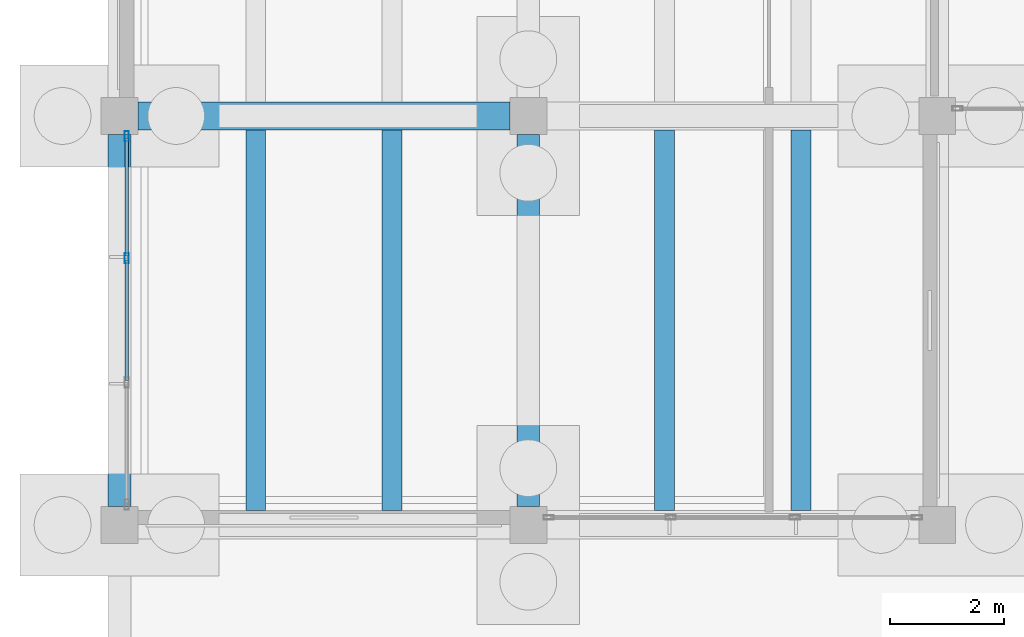
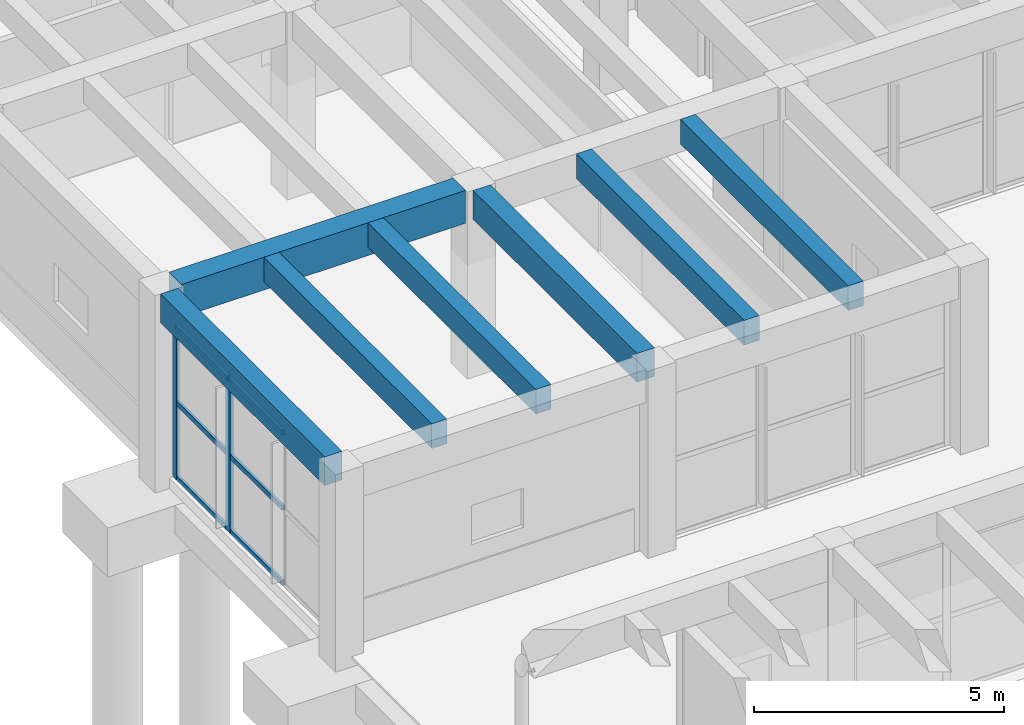
# One storey, part 58 of 155: 8 members, 7 beams, 1 element without a shape of its own.
"""IFC4 building model written with IfcOpenShell, lengths in metres."""

from ifc_helpers import new_model, si_unit, direction, frame, origin, origin_2d, place, context, subcontext, project, spatial, rectangle, hollow_rectangle, extrude, material, material_profile, profile_set, type_object, element, aggregate, save


model = new_model("IFC4")

# Units and contexts
model_context = context("Model", 3, precision=1e-05, world=origin(), true_north=direction((0.0, 1.0)))
body_context = subcontext(model_context, "Body", "Model", "MODEL_VIEW")
ifc_project = project(units=[si_unit("LENGTHUNIT", "METRE"), si_unit("AREAUNIT", "SQUARE_METRE"), si_unit("VOLUMEUNIT", "CUBIC_METRE"), si_unit("PLANEANGLEUNIT", "RADIAN"), si_unit("MASSUNIT", "GRAM", prefix="KILO")], contexts=[model_context])

# Site, building, storey
site_placement = place(None, origin())
site = spatial("IfcSite", under=ifc_project, at=site_placement, CompositionType="ELEMENT")
building_placement = place(site_placement, origin())
building = spatial("IfcBuilding", under=site, at=building_placement, Name="Bramvelor Terrace Health Centre", CompositionType="ELEMENT")
storey_placement = place(building_placement, origin())
storey = spatial("IfcBuildingStorey", under=building, at=storey_placement, Name="L01", CompositionType="ELEMENT", Elevation=0.0)

# Beams
ifc_material_1 = material(Name="Concrete C40/50", Category="concrete")
ifc_material_profile_1 = material_profile(ifc_material_1, rectangle(XDim=0.39990234375, YDim=0.699951171875, at=origin_2d()), Name="RC 400x700")
ifc_profile_set_1 = profile_set([ifc_material_profile_1], Name="Concrete C40/50")
beam_type_1 = type_object("IfcBeamType", Name="BM-RC-G700", PredefinedType="BEAM", material=ifc_profile_set_1)
beam_1_placement = place(storey_placement, frame((7.199951171875, 72.324951171875, 4.2099609375), z_axis=(0.0, 1.0, 0.0), x_axis=(-1.0, 0.0, 0.0)))
element("IfcBeam", 1, at=beam_1_placement, inside=storey, type_object=beam_type_1, Name="L01 Floor Girder", PredefinedType="BEAM", context=body_context, shape_type="SweptSolid", body=[
    extrude(rectangle(XDim=0.39990234375, YDim=0.699951171875, at=origin_2d()), origin(), (0.0, 0.0, 1.0), 6.550048828125),
])
ifc_material_2 = material(Name="Concrete C40/50", Category="concrete")
ifc_material_profile_2 = material_profile(ifc_material_2, rectangle(XDim=0.5, YDim=0.800048828125, at=origin_2d()), Name="RC 500x800")
ifc_profile_set_2 = profile_set([ifc_material_profile_2], Name="Concrete C40/50")
beam_type_2 = type_object("IfcBeamType", Name="BM-RC-G800", PredefinedType="BEAM", material=ifc_profile_set_2)
beam_2_placement = place(storey_placement, frame((0.324951171875, 79.199951171875, 4.159912109375), z_axis=(1.0, 0.0, 0.0), x_axis=(0.0, 1.0, 0.0)))
element("IfcBeam", 2, at=beam_2_placement, inside=storey, type_object=beam_type_2, Name="L01 Floor Girder", PredefinedType="BEAM", context=body_context, shape_type="SweptSolid", body=[
    extrude(rectangle(XDim=0.5, YDim=0.800048828125, at=origin_2d()), origin(), (0.0, 0.0, 1.0), 6.550048828125),
])
ifc_material_3 = material(Name="Concrete C40/50", Category="concrete")
ifc_material_profile_3 = material_profile(ifc_material_3, rectangle(XDim=0.35009765625, YDim=0.60009765625, at=origin_2d()), Name="RC 350x600")
ifc_profile_set_3 = profile_set([ifc_material_profile_3], Name="Concrete C40/50")
beam_type_3 = type_object("IfcBeamType", Name="BM-RC-J600", PredefinedType="JOIST", material=ifc_profile_set_3)
for number, where, z_axis, x_axis, name in (
    (3, (2.39990234375, 72.25, 4.260009765625), (0.0, 1.0, 0.0), (-1.0, 0.0, 0.0), "L01 Secondary Floor Joist"),
    (4, (4.800048828125, 72.25, 4.260009765625), (0.0, 1.0, 0.0), (-1.0, 0.0, 0.0), "L01 Secondary Floor Joist"),
    (5, (9.60009765625, 72.25, 4.260009765625), (0.0, 1.0, 0.0), (-1.0, 0.0, 0.0), "L01 Secondary Floor Joist"),
    (6, (12.0, 72.25, 4.260009765625), (0.0, 1.0, 0.0), (-1.0, 0.0, 0.0), "L01 Secondary Floor Joist"),
):
    element("IfcBeam", number, at=place(storey_placement, frame(where, z_axis=z_axis, x_axis=x_axis)), inside=storey, type_object=beam_type_3, Name=name, PredefinedType="JOIST", context=body_context, shape_type="SweptSolid", body=[
        extrude(rectangle(XDim=0.35009765625, YDim=0.60009765625, at=origin_2d()), origin(), (0.0, 0.0, 1.0), 6.699951171875),
    ])
ifc_material_4 = material(Name="Concrete C40/50", Category="concrete")
ifc_material_profile_4 = material_profile(ifc_material_4, rectangle(XDim=0.39990234375, YDim=0.699951171875, at=origin_2d()), Name="RC 400x700")
ifc_profile_set_4 = profile_set([ifc_material_profile_4], Name="Concrete C40/50")
beam_type_4 = type_object("IfcBeamType", Name="BM-RC-SP700-EXT", PredefinedType="SPANDREL", material=ifc_profile_set_4)
beam_3_placement = place(storey_placement, frame((0.0, 72.324951171875, 4.2099609375), z_axis=(0.0, 1.0, 0.0), x_axis=(-1.0, 0.0, 0.0)))
element("IfcBeam", 7, at=beam_3_placement, inside=storey, type_object=beam_type_4, Name="L01 Floor Girder", PredefinedType="SPANDREL", context=body_context, shape_type="SweptSolid", body=[
    extrude(rectangle(XDim=0.39990234375, YDim=0.699951171875, at=origin_2d()), origin(), (0.0, 0.0, 1.0), 6.550048828125),
])

# Curtain wall, members
ifc_material_5 = material(Name="Anodized aluminium and double low-E glass", Category="aluminium")
curtain_wall_type = type_object("IfcCurtainWallType", Name="CW-SYS-02", PredefinedType="NOTDEFINED", material=ifc_material_5)
curtain_wall_placement = place(storey_placement, origin())
curtain_wall = element("IfcCurtainWall", 8, at=curtain_wall_placement, inside=storey, type_object=curtain_wall_type, Name="L01 Unitized Curtain Wall 15", PredefinedType="NOTDEFINED")
ifc_material_6 = material(Name="Anodized aluminium 6063-T6", Category="aluminium")
ifc_material_profile_5 = material_profile(ifc_material_6, hollow_rectangle(XDim=0.074951171875, YDim=0.179931640625, WallThickness=0.00341796875, at=origin_2d()), Name="ALU-MUL 75x180x3.5")
ifc_profile_set_5 = profile_set([ifc_material_profile_5], Name="Anodized aluminium 6063-T6")
member_type_1 = type_object("IfcMemberType", Name="CW-MUL-65x180", PredefinedType="MULLION", material=ifc_profile_set_5)
member_1_placement = place(storey_placement, frame((0.1298828125, 76.693359375, 0.0), z_axis=(0.0, 0.0, 1.0), x_axis=(-1.0, 0.0, 0.0)))
member_1 = element("IfcMember", 9, at=member_1_placement, type_object=member_type_1, Name="CW-02 mullion 3", PredefinedType="MULLION", context=body_context, shape_type="SweptSolid", body=[
    extrude(hollow_rectangle(XDim=0.074951171875, YDim=0.179931640625, WallThickness=0.00341796875, at=origin_2d()), origin(), (0.0, 0.0, 1.0), 3.719970703125),
])
member_2_placement = place(storey_placement, frame((0.1298828125, 78.842529296875, 0.0), z_axis=(0.0, 0.0, 1.0), x_axis=(-1.0, 0.0, 0.0)))
member_2 = element("IfcMember", 10, at=member_2_placement, type_object=member_type_1, Name="CW-02 mullion 4", PredefinedType="MULLION", context=body_context, shape_type="SweptSolid", body=[
    extrude(hollow_rectangle(XDim=0.074951171875, YDim=0.179931640625, WallThickness=0.00341796875, at=origin_2d()), origin(), (0.0, 0.0, 1.0), 3.719970703125),
])
ifc_material_7 = material(Name="Anodized aluminium 6063-T6", Category="aluminium")
ifc_material_profile_6 = material_profile(ifc_material_7, hollow_rectangle(XDim=0.06494140625, YDim=0.1201171875, WallThickness=0.0029296875, at=origin_2d()), Name="ALU-TRN 65x120x3.0")
ifc_profile_set_6 = profile_set([ifc_material_profile_6], Name="Anodized aluminium 6063-T6")
member_type_2 = type_object("IfcMemberType", Name="CW-TRN-65x150", PredefinedType="USERDEFINED", material=ifc_profile_set_6)
member_3_placement = place(storey_placement, frame((0.1298828125, 74.544189453125, 0.032470703125), z_axis=(0.0, 1.0, 0.0), x_axis=(-1.0, 0.0, 0.0)))
member_3 = element("IfcMember", 11, at=member_3_placement, type_object=member_type_2, Name="CW-02 transom 2.1", ObjectType="TRANSOM", PredefinedType="USERDEFINED", context=body_context, shape_type="SweptSolid", body=[
    extrude(hollow_rectangle(XDim=0.06494140625, YDim=0.1201171875, WallThickness=0.0029296875, at=origin_2d()), origin(), (0.0, 0.0, 1.0), 2.111572265625),
])
member_4_placement = place(storey_placement, frame((0.1298828125, 74.544189453125, 1.860107421875), z_axis=(0.0, 1.0, 0.0), x_axis=(-1.0, 0.0, 0.0)))
member_4 = element("IfcMember", 12, at=member_4_placement, type_object=member_type_2, Name="CW-02 transom 2.2", ObjectType="TRANSOM", PredefinedType="USERDEFINED", context=body_context, shape_type="SweptSolid", body=[
    extrude(hollow_rectangle(XDim=0.06494140625, YDim=0.1201171875, WallThickness=0.0029296875, at=origin_2d()), origin(), (0.0, 0.0, 1.0), 2.111572265625),
])
member_5_placement = place(storey_placement, frame((0.1298828125, 74.544189453125, 3.6875), z_axis=(0.0, 1.0, 0.0), x_axis=(-1.0, 0.0, 0.0)))
member_5 = element("IfcMember", 13, at=member_5_placement, type_object=member_type_2, Name="CW-02 transom 2.3", ObjectType="TRANSOM", PredefinedType="USERDEFINED", context=body_context, shape_type="SweptSolid", body=[
    extrude(hollow_rectangle(XDim=0.06494140625, YDim=0.1201171875, WallThickness=0.0029296875, at=origin_2d()), origin(), (0.0, 0.0, 1.0), 2.111572265625),
])
member_6_placement = place(storey_placement, frame((0.1298828125, 76.730712890625, 0.032470703125), z_axis=(0.0, 1.0, 0.0), x_axis=(-1.0, 0.0, 0.0)))
member_6 = element("IfcMember", 14, at=member_6_placement, type_object=member_type_2, Name="CW-02 transom 3.1", ObjectType="TRANSOM", PredefinedType="USERDEFINED", context=body_context, shape_type="SweptSolid", body=[
    extrude(hollow_rectangle(XDim=0.06494140625, YDim=0.1201171875, WallThickness=0.0029296875, at=origin_2d()), origin(), (0.0, 0.0, 1.0), 2.07421875),
])
member_7_placement = place(storey_placement, frame((0.1298828125, 76.730712890625, 1.860107421875), z_axis=(0.0, 1.0, 0.0), x_axis=(-1.0, 0.0, 0.0)))
member_7 = element("IfcMember", 15, at=member_7_placement, type_object=member_type_2, Name="CW-02 transom 3.2", ObjectType="TRANSOM", PredefinedType="USERDEFINED", context=body_context, shape_type="SweptSolid", body=[
    extrude(hollow_rectangle(XDim=0.06494140625, YDim=0.1201171875, WallThickness=0.0029296875, at=origin_2d()), origin(), (0.0, 0.0, 1.0), 2.07421875),
])
member_8_placement = place(storey_placement, frame((0.1298828125, 76.730712890625, 3.6875), z_axis=(0.0, 1.0, 0.0), x_axis=(-1.0, 0.0, 0.0)))
member_8 = element("IfcMember", 16, at=member_8_placement, type_object=member_type_2, Name="CW-02 transom 3.3", ObjectType="TRANSOM", PredefinedType="USERDEFINED", context=body_context, shape_type="SweptSolid", body=[
    extrude(hollow_rectangle(XDim=0.06494140625, YDim=0.1201171875, WallThickness=0.0029296875, at=origin_2d()), origin(), (0.0, 0.0, 1.0), 2.07421875),
])
aggregate(curtain_wall, [member_1, member_2, member_3, member_4, member_5, member_6, member_7, member_8])

save(model, "model.ifc")
